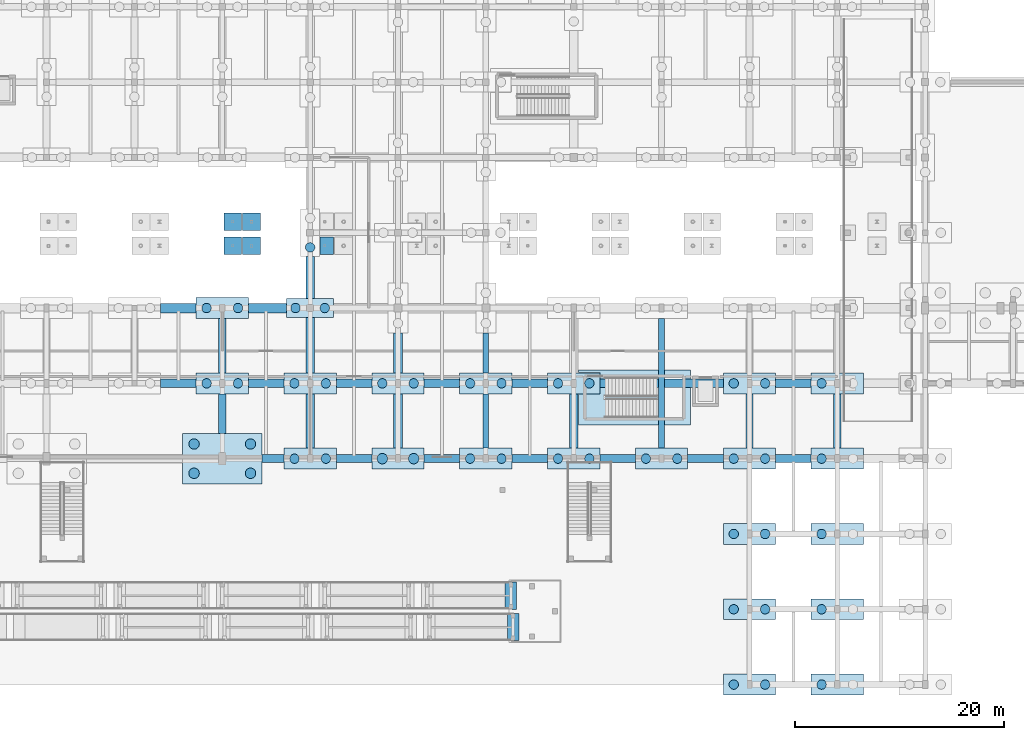
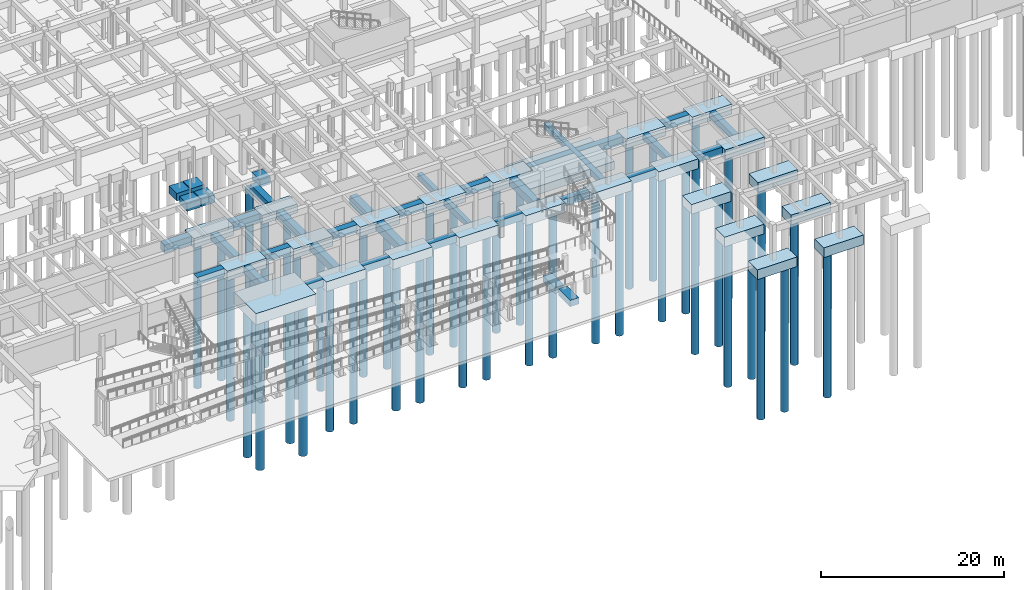
# One storey, part 3 of 80: 60 footings, 44 piles.
"""IFC4 building model written with IfcOpenShell, lengths in metres."""

from ifc_helpers import new_model, si_unit, direction, frame, origin, origin_2d, place, context, subcontext, project, spatial, polyline, rectangle, circle, outline, extrude, material, material_profile, profile_set, type_object, element, save


model = new_model("IFC4")

# Units and contexts
model_context = context("Model", 3, precision=1e-05, world=origin(), true_north=direction((0.0, 1.0)))
body_context = subcontext(model_context, "Body", "Model", "MODEL_VIEW")
ifc_project = project(units=[si_unit("LENGTHUNIT", "METRE"), si_unit("AREAUNIT", "SQUARE_METRE"), si_unit("VOLUMEUNIT", "CUBIC_METRE"), si_unit("PLANEANGLEUNIT", "RADIAN"), si_unit("MASSUNIT", "GRAM", prefix="KILO")], contexts=[model_context])

# Site, building, storey
site_placement = place(None, origin())
site = spatial("IfcSite", under=ifc_project, at=site_placement, CompositionType="ELEMENT")
building_placement = place(site_placement, origin())
building = spatial("IfcBuilding", under=site, at=building_placement, Name="Malvenik Polytechnic", CompositionType="ELEMENT")
storey_placement = place(building_placement, frame((0.0, 0.0, -4.800048828125)))
storey = spatial("IfcBuildingStorey", under=building, at=storey_placement, Name="B1", CompositionType="ELEMENT", Elevation=-4.800048828125)

# Footings
ifc_material = material(Name="Concrete C35/45", Category="concrete")
footing_type_1 = type_object("IfcFootingType", Name="STR-PC-1800x4500x1200", PredefinedType="PILE_CAP", material=ifc_material)
footing_1_placement = place(storey_placement, frame((75.60009765625, 36.0, -1.19970703125), z_axis=(0.0, 0.0, 1.0), x_axis=(1.0, 0.0, 0.0)))
element("IfcFooting", 1, at=footing_1_placement, inside=storey, type_object=footing_type_1, Name="Pile Cap PC-01 #108", PredefinedType="PILE_CAP", context=body_context, shape_type="SweptSolid", body=[
    extrude(rectangle(XDim=4.5, YDim=1.800048828125, at=origin_2d()), origin(), (0.0, 0.0, 1.0), 1.199951171875),
])
footing_type_2 = type_object("IfcFootingType", Name="STR-PC-2000x5000x1300", PredefinedType="PILE_CAP", material=ifc_material)
for number, where, z_axis, x_axis, name in (
    (2, (67.199951171875, 28.800048828125, -1.2998046875), (0.0, 0.0, 1.0), (1.0, 0.0, 0.0), "Pile Cap PC-03 #94"),
    (3, (67.199951171875, 36.0, -1.2998046875), (0.0, 0.0, 1.0), (1.0, 0.0, 0.0), "Pile Cap PC-03 #95"),
    (4, (75.60009765625, 21.60009765625, -1.2998046875), (0.0, 0.0, 1.0), (1.0, 0.0, 0.0), "Pile Cap PC-03 #106"),
    (5, (75.60009765625, 28.800048828125, -1.2998046875), (0.0, 0.0, 1.0), (1.0, 0.0, 0.0), "Pile Cap PC-03 #107"),
    (6, (84.0, 21.60009765625, -1.2998046875), (0.0, 0.0, 1.0), (1.0, 0.0, 0.0), "Pile Cap PC-03 #121"),
    (7, (84.0, 28.800048828125, -1.2998046875), (0.0, 0.0, 1.0), (1.0, 0.0, 0.0), "Pile Cap PC-03 #122"),
    (8, (92.39990234375, 21.60009765625, -1.2998046875), (0.0, 0.0, 1.0), (1.0, 0.0, 0.0), "Pile Cap PC-03 #137"),
    (9, (92.39990234375, 28.800048828125, -1.2998046875), (0.0, 0.0, 1.0), (1.0, 0.0, 0.0), "Pile Cap PC-03 #138"),
    (10, (100.800048828125, 21.60009765625, -1.2998046875), (0.0, 0.0, 1.0), (1.0, 0.0, 0.0), "Pile Cap PC-03 #153"),
    (11, (100.800048828125, 28.800048828125, -1.2998046875), (0.0, 0.0, 1.0), (1.0, 0.0, 0.0), "Pile Cap PC-03 #154"),
    (12, (109.199951171875, 21.60009765625, -1.2998046875), (0.0, 0.0, 1.0), (1.0, 0.0, 0.0), "Pile Cap PC-03 #164"),
    (13, (117.60009765625, 0.0, -1.2998046875), (0.0, 0.0, 1.0), (1.0, 0.0, 0.0), "Pile Cap PC-03 #176"),
    (14, (117.60009765625, 7.199951171875, -1.2998046875), (0.0, 0.0, 1.0), (1.0, 0.0, 0.0), "Pile Cap PC-03 #177"),
    (15, (117.60009765625, 14.39990234375, -1.2998046875), (0.0, 0.0, 1.0), (1.0, 0.0, 0.0), "Pile Cap PC-03 #178"),
    (16, (117.60009765625, 21.60009765625, -1.2998046875), (0.0, 0.0, 1.0), (1.0, 0.0, 0.0), "Pile Cap PC-03 #179"),
    (17, (117.60009765625, 28.800048828125, -1.2998046875), (0.0, 0.0, 1.0), (1.0, 0.0, 0.0), "Pile Cap PC-03 #180"),
    (18, (126.0, 0.0, -1.2998046875), (0.0, 0.0, 1.0), (1.0, 0.0, 0.0), "Pile Cap PC-03 #192"),
    (19, (126.0, 7.199951171875, -1.2998046875), (0.0, 0.0, 1.0), (1.0, 0.0, 0.0), "Pile Cap PC-03 #193"),
    (20, (126.0, 14.39990234375, -1.2998046875), (0.0, 0.0, 1.0), (1.0, 0.0, 0.0), "Pile Cap PC-03 #194"),
    (21, (126.0, 21.60009765625, -1.2998046875), (0.0, 0.0, 1.0), (1.0, 0.0, 0.0), "Pile Cap PC-03 #195"),
    (22, (126.0, 28.800048828125, -1.2998046875), (0.0, 0.0, 1.0), (1.0, 0.0, 0.0), "Pile Cap PC-03 #196"),
):
    element("IfcFooting", number, at=place(storey_placement, frame(where, z_axis=z_axis, x_axis=x_axis)), inside=storey, type_object=footing_type_2, Name=name, PredefinedType="PILE_CAP", context=body_context, shape_type="SweptSolid", body=[
        extrude(rectangle(XDim=5.0, YDim=2.0, at=origin_2d()), origin(), (0.0, 0.0, 1.0), 1.300048828125),
    ])
footing_type_3 = type_object("IfcFootingType", Name="STR-PC-COMB-26", PredefinedType="PILE_CAP", material=ifc_material)
footing_2_placement = place(storey_placement, frame((67.199951171875, 21.60009765625, -1.5), z_axis=(0.0, 0.0, 1.0), x_axis=(1.0, 0.0, 0.0)))
element("IfcFooting", 23, at=footing_2_placement, inside=storey, type_object=footing_type_3, Name="Pile Cap PCC-26 #93", PredefinedType="PILE_CAP", context=body_context, shape_type="SweptSolid", body=[
    extrude(rectangle(XDim=7.60009765625, YDim=4.800048828125, at=origin_2d()), origin(), (0.0, 0.0, 1.0), 1.5),
])

# Piles
ifc_material_profile_1 = material_profile(ifc_material, circle(Radius=0.5, at=origin_2d()), Name="BORED PILE D1000")
ifc_profile_set_1 = profile_set([ifc_material_profile_1], Name="Concrete C35/45")
pile_type_1 = type_object("IfcPileType", Name="STR-PL-D1000-196", PredefinedType="BORED", material=ifc_profile_set_1)
for number, where, z_axis, x_axis, name in (
    (24, (82.5, 21.60009765625, -1.199951171875), (0.0, 0.0, -1.0), (1.0, 0.0, 0.0), "Bored Pile PL-04 #281"),
    (25, (85.5, 21.60009765625, -1.199951171875), (0.0, 0.0, -1.0), (1.0, 0.0, 0.0), "Bored Pile PL-04 #282"),
):
    element("IfcPile", number, at=place(storey_placement, frame(where, z_axis=z_axis, x_axis=x_axis)), inside=storey, type_object=pile_type_1, Name=name, PredefinedType="BORED", context=body_context, shape_type="SweptSolid", body=[
        extrude(circle(Radius=0.5, at=origin_2d()), origin(), (0.0, 0.0, 1.0), 19.60009765625),
    ])
ifc_material_profile_2 = material_profile(ifc_material, circle(Radius=0.5, at=origin_2d()), Name="BORED PILE D1000")
ifc_profile_set_2 = profile_set([ifc_material_profile_2], Name="Concrete C35/45")
pile_type_2 = type_object("IfcPileType", Name="STR-PL-D1000-202", PredefinedType="BORED", material=ifc_profile_set_2)
for number, where, z_axis, x_axis, name in (
    (26, (64.5, 20.199951171875, -1.39990234375), (0.0, 0.0, -1.0), (1.0, 0.0, 0.0), "Bored Pile PL-06 #215"),
    (27, (64.5, 23.0, -1.39990234375), (0.0, 0.0, -1.0), (1.0, 0.0, 0.0), "Bored Pile PL-06 #216"),
    (28, (69.89990234375, 20.199951171875, -1.39990234375), (0.0, 0.0, -1.0), (1.0, 0.0, 0.0), "Bored Pile PL-06 #217"),
    (29, (69.89990234375, 23.0, -1.39990234375), (0.0, 0.0, -1.0), (1.0, 0.0, 0.0), "Bored Pile PL-06 #218"),
):
    element("IfcPile", number, at=place(storey_placement, frame(where, z_axis=z_axis, x_axis=x_axis)), inside=storey, type_object=pile_type_2, Name=name, PredefinedType="BORED", context=body_context, shape_type="SweptSolid", body=[
        extrude(circle(Radius=0.5, at=origin_2d()), origin(), (0.0, 0.0, 1.0), 20.199951171875),
    ])
ifc_material_profile_3 = material_profile(ifc_material, circle(Radius=0.449951171875, at=origin_2d()), Name="BORED PILE D900")
ifc_profile_set_3 = profile_set([ifc_material_profile_3], Name="Concrete C35/45")
pile_type_3 = type_object("IfcPileType", Name="STR-PL-D900-195", PredefinedType="BORED", material=ifc_profile_set_3)
for number, where, z_axis, x_axis, name in (
    (30, (65.699951171875, 28.800048828125, -1.199951171875), (0.0, 0.0, -1.0), (1.0, 0.0, 0.0), "Bored Pile PL-01 #219"),
    (31, (68.699951171875, 28.800048828125, -1.199951171875), (0.0, 0.0, -1.0), (1.0, 0.0, 0.0), "Bored Pile PL-01 #220"),
    (32, (65.699951171875, 36.0, -1.199951171875), (0.0, 0.0, -1.0), (1.0, 0.0, 0.0), "Bored Pile PL-01 #221"),
    (33, (68.699951171875, 36.0, -1.199951171875), (0.0, 0.0, -1.0), (1.0, 0.0, 0.0), "Bored Pile PL-01 #222"),
    (34, (74.10009765625, 21.60009765625, -1.199951171875), (0.0, 0.0, -1.0), (1.0, 0.0, 0.0), "Bored Pile PL-01 #247"),
    (35, (77.10009765625, 21.60009765625, -1.199951171875), (0.0, 0.0, -1.0), (1.0, 0.0, 0.0), "Bored Pile PL-01 #248"),
    (36, (74.10009765625, 28.800048828125, -1.199951171875), (0.0, 0.0, -1.0), (1.0, 0.0, 0.0), "Bored Pile PL-01 #249"),
    (37, (77.10009765625, 28.800048828125, -1.199951171875), (0.0, 0.0, -1.0), (1.0, 0.0, 0.0), "Bored Pile PL-01 #250"),
    (38, (82.5, 28.800048828125, -1.199951171875), (0.0, 0.0, -1.0), (1.0, 0.0, 0.0), "Bored Pile PL-01 #283"),
    (39, (85.5, 28.800048828125, -1.199951171875), (0.0, 0.0, -1.0), (1.0, 0.0, 0.0), "Bored Pile PL-01 #284"),
    (40, (90.89990234375, 21.60009765625, -1.199951171875), (0.0, 0.0, -1.0), (1.0, 0.0, 0.0), "Bored Pile PL-01 #313"),
    (41, (93.89990234375, 21.60009765625, -1.199951171875), (0.0, 0.0, -1.0), (1.0, 0.0, 0.0), "Bored Pile PL-01 #314"),
    (42, (90.89990234375, 28.800048828125, -1.199951171875), (0.0, 0.0, -1.0), (1.0, 0.0, 0.0), "Bored Pile PL-01 #315"),
    (43, (93.89990234375, 28.800048828125, -1.199951171875), (0.0, 0.0, -1.0), (1.0, 0.0, 0.0), "Bored Pile PL-01 #316"),
    (44, (99.300048828125, 21.60009765625, -1.199951171875), (0.0, 0.0, -1.0), (1.0, 0.0, 0.0), "Bored Pile PL-01 #345"),
    (45, (102.300048828125, 21.60009765625, -1.199951171875), (0.0, 0.0, -1.0), (1.0, 0.0, 0.0), "Bored Pile PL-01 #346"),
    (46, (99.300048828125, 28.800048828125, -1.199951171875), (0.0, 0.0, -1.0), (1.0, 0.0, 0.0), "Bored Pile PL-01 #347"),
    (47, (102.300048828125, 28.800048828125, -1.199951171875), (0.0, 0.0, -1.0), (1.0, 0.0, 0.0), "Bored Pile PL-01 #348"),
    (48, (107.699951171875, 21.60009765625, -1.199951171875), (0.0, 0.0, -1.0), (1.0, 0.0, 0.0), "Bored Pile PL-01 #367"),
    (49, (110.699951171875, 21.60009765625, -1.199951171875), (0.0, 0.0, -1.0), (1.0, 0.0, 0.0), "Bored Pile PL-01 #368"),
    (50, (116.10009765625, 0.0, -1.199951171875), (0.0, 0.0, -1.0), (1.0, 0.0, 0.0), "Bored Pile PL-01 #391"),
    (51, (119.10009765625, 0.0, -1.199951171875), (0.0, 0.0, -1.0), (1.0, 0.0, 0.0), "Bored Pile PL-01 #392"),
    (52, (116.10009765625, 7.199951171875, -1.199951171875), (0.0, 0.0, -1.0), (1.0, 0.0, 0.0), "Bored Pile PL-01 #393"),
    (53, (119.10009765625, 7.199951171875, -1.199951171875), (0.0, 0.0, -1.0), (1.0, 0.0, 0.0), "Bored Pile PL-01 #394"),
    (54, (116.10009765625, 14.39990234375, -1.199951171875), (0.0, 0.0, -1.0), (1.0, 0.0, 0.0), "Bored Pile PL-01 #395"),
    (55, (119.10009765625, 14.39990234375, -1.199951171875), (0.0, 0.0, -1.0), (1.0, 0.0, 0.0), "Bored Pile PL-01 #396"),
    (56, (116.10009765625, 21.60009765625, -1.199951171875), (0.0, 0.0, -1.0), (1.0, 0.0, 0.0), "Bored Pile PL-01 #397"),
    (57, (119.10009765625, 21.60009765625, -1.199951171875), (0.0, 0.0, -1.0), (1.0, 0.0, 0.0), "Bored Pile PL-01 #398"),
    (58, (116.10009765625, 28.800048828125, -1.199951171875), (0.0, 0.0, -1.0), (1.0, 0.0, 0.0), "Bored Pile PL-01 #399"),
    (59, (119.10009765625, 28.800048828125, -1.199951171875), (0.0, 0.0, -1.0), (1.0, 0.0, 0.0), "Bored Pile PL-01 #400"),
    (60, (124.5, 0.0, -1.199951171875), (0.0, 0.0, -1.0), (1.0, 0.0, 0.0), "Bored Pile PL-01 #423"),
    (61, (124.5, 7.199951171875, -1.199951171875), (0.0, 0.0, -1.0), (1.0, 0.0, 0.0), "Bored Pile PL-01 #425"),
    (62, (124.5, 14.39990234375, -1.199951171875), (0.0, 0.0, -1.0), (1.0, 0.0, 0.0), "Bored Pile PL-01 #427"),
    (63, (124.5, 21.60009765625, -1.199951171875), (0.0, 0.0, -1.0), (1.0, 0.0, 0.0), "Bored Pile PL-01 #429"),
    (64, (124.5, 28.800048828125, -1.199951171875), (0.0, 0.0, -1.0), (1.0, 0.0, 0.0), "Bored Pile PL-01 #431"),
):
    element("IfcPile", number, at=place(storey_placement, frame(where, z_axis=z_axis, x_axis=x_axis)), inside=storey, type_object=pile_type_3, Name=name, PredefinedType="BORED", context=body_context, shape_type="SweptSolid", body=[
        extrude(circle(Radius=0.449951171875, at=origin_2d()), origin(), (0.0, 0.0, 1.0), 19.5),
    ])
ifc_material_profile_4 = material_profile(ifc_material, circle(Radius=0.449951171875, at=origin_2d()), Name="BORED PILE D900")
ifc_profile_set_4 = profile_set([ifc_material_profile_4], Name="Concrete C35/45")
pile_type_4 = type_object("IfcPileType", Name="STR-PL-D900-198", PredefinedType="BORED", material=ifc_profile_set_4)
for number, where, z_axis, x_axis, name in (
    (65, (74.199951171875, 36.0, -1.099853515625), (0.0, 0.0, -1.0), (1.0, 0.0, 0.0), "Bored Pile PL-02 #251"),
    (66, (77.0, 36.0, -1.099853515625), (0.0, 0.0, -1.0), (1.0, 0.0, 0.0), "Bored Pile PL-02 #252"),
    (67, (75.60009765625, 41.800048828125, -1.099853515625), (0.0, 0.0, -1.0), (1.0, 0.0, 0.0), "Bored Pile PL-02 #253"),
):
    element("IfcPile", number, at=place(storey_placement, frame(where, z_axis=z_axis, x_axis=x_axis)), inside=storey, type_object=pile_type_4, Name=name, PredefinedType="BORED", context=body_context, shape_type="SweptSolid", body=[
        extrude(circle(Radius=0.449951171875, at=origin_2d()), origin(), (0.0, 0.0, 1.0), 19.800048828125),
    ])

# Footings
footing_type_4 = type_object("IfcFootingType", Name="STR-SF-550x750", PredefinedType="STRIP_FOOTING", material=ifc_material)
footing_3_placement = place(storey_placement, frame((0.0, 0.0, -0.75)))
element("IfcFooting", 68, at=footing_3_placement, inside=storey, type_object=footing_type_4, Name="Ground Tie Beam SF-07 #253", PredefinedType="STRIP_FOOTING", context=body_context, shape_type="SweptSolid", body=[
    extrude(outline(polyline([(92.125, 22.60009765625), (92.675048828125, 22.60009765625), (92.675048828125, 27.800048828125), (92.125, 27.800048828125), (92.125, 22.60009765625)])), origin(), (0.0, 0.0, 1.0), 0.75),
])
footing_4_placement = place(storey_placement, frame((0.0, 0.0, -0.75)))
element("IfcFooting", 69, at=footing_4_placement, inside=storey, type_object=footing_type_4, Name="Ground Tie Beam SF-07 #254", PredefinedType="STRIP_FOOTING", context=body_context, shape_type="SweptSolid", body=[
    extrude(outline(polyline([(92.125, 29.800048828125), (92.675048828125, 29.800048828125), (92.675048828125, 33.60009765625), (92.125, 33.60009765625), (92.125, 29.800048828125)])), origin(), (0.0, 0.0, 1.0), 0.75),
])
footing_type_5 = type_object("IfcFootingType", Name="STR-SF-600x800", PredefinedType="STRIP_FOOTING", material=ifc_material)
footing_5_placement = place(storey_placement, frame((0.0, 0.0, -0.800048828125)))
element("IfcFooting", 70, at=footing_5_placement, inside=storey, type_object=footing_type_5, Name="Ground Tie Beam SF-01 #273", PredefinedType="STRIP_FOOTING", context=body_context, shape_type="SweptSolid", body=[
    extrude(outline(polyline([(108.89990234375, 22.60009765625), (109.5, 22.60009765625), (109.5, 35.0), (108.89990234375, 35.0), (108.89990234375, 22.60009765625)])), origin(), (0.0, 0.0, 1.0), 0.800048828125),
])
footing_type_6 = type_object("IfcFootingType", Name="STR-SF-650x850", PredefinedType="STRIP_FOOTING", material=ifc_material)
footing_6_placement = place(storey_placement, frame((0.0, 0.0, -0.849853515625)))
element("IfcFooting", 71, at=footing_6_placement, inside=storey, type_object=footing_type_6, Name="Ground Tie Beam SF-02 #282", PredefinedType="STRIP_FOOTING", context=body_context, shape_type="SweptSolid", body=[
    extrude(outline(polyline([(117.27490234375, 22.60009765625), (117.925048828125, 22.60009765625), (117.925048828125, 27.800048828125), (117.27490234375, 27.800048828125), (117.27490234375, 22.60009765625)])), origin(), (0.0, 0.0, 1.0), 0.849853515625),
])
footing_type_7 = type_object("IfcFootingType", Name="STR-SF-700x900", PredefinedType="STRIP_FOOTING", material=ifc_material)
footing_7_placement = place(storey_placement, frame((0.0, 0.0, -0.89990234375)))
element("IfcFooting", 72, at=footing_7_placement, inside=storey, type_object=footing_type_7, Name="Ground Tie Beam SF-03 #292", PredefinedType="STRIP_FOOTING", context=body_context, shape_type="SweptSolid", body=[
    extrude(outline(polyline([(125.64990234375, 22.60009765625), (126.35009765625, 22.60009765625), (126.35009765625, 27.800048828125), (125.64990234375, 27.800048828125), (125.64990234375, 22.60009765625)])), origin(), (0.0, 0.0, 1.0), 0.89990234375),
])
footing_type_8 = type_object("IfcFootingType", Name="STR-SF-750x950", PredefinedType="STRIP_FOOTING", material=ifc_material)
footing_8_placement = place(storey_placement, frame((0.0, 0.0, -0.949951171875)))
element("IfcFooting", 73, at=footing_8_placement, inside=storey, type_object=footing_type_8, Name="Ground Tie Beam SF-04 #4", PredefinedType="STRIP_FOOTING", context=body_context, shape_type="SweptSolid", body=[
    extrude(outline(polyline([(71.0, 21.22509765625), (73.10009765625, 21.22509765625), (73.10009765625, 21.97509765625), (71.0, 21.97509765625), (71.0, 21.22509765625)])), origin(), (0.0, 0.0, 1.0), 0.949951171875),
])
footing_9_placement = place(storey_placement, frame((0.0, 0.0, -0.949951171875)))
element("IfcFooting", 74, at=footing_9_placement, inside=storey, type_object=footing_type_8, Name="Ground Tie Beam SF-04 #5", PredefinedType="STRIP_FOOTING", context=body_context, shape_type="SweptSolid", body=[
    extrude(outline(polyline([(78.10009765625, 21.22509765625), (81.5, 21.22509765625), (81.5, 21.97509765625), (78.10009765625, 21.97509765625), (78.10009765625, 21.22509765625)])), origin(), (0.0, 0.0, 1.0), 0.949951171875),
])
footing_10_placement = place(storey_placement, frame((0.0, 0.0, -0.949951171875)))
element("IfcFooting", 75, at=footing_10_placement, inside=storey, type_object=footing_type_8, Name="Ground Tie Beam SF-04 #6", PredefinedType="STRIP_FOOTING", context=body_context, shape_type="SweptSolid", body=[
    extrude(outline(polyline([(86.5, 21.22509765625), (89.89990234375, 21.22509765625), (89.89990234375, 21.97509765625), (86.5, 21.97509765625), (86.5, 21.22509765625)])), origin(), (0.0, 0.0, 1.0), 0.949951171875),
])
footing_11_placement = place(storey_placement, frame((0.0, 0.0, -0.949951171875)))
element("IfcFooting", 76, at=footing_11_placement, inside=storey, type_object=footing_type_8, Name="Ground Tie Beam SF-04 #7", PredefinedType="STRIP_FOOTING", context=body_context, shape_type="SweptSolid", body=[
    extrude(outline(polyline([(94.89990234375, 21.22509765625), (98.300048828125, 21.22509765625), (98.300048828125, 21.97509765625), (94.89990234375, 21.97509765625), (94.89990234375, 21.22509765625)])), origin(), (0.0, 0.0, 1.0), 0.949951171875),
])
footing_12_placement = place(storey_placement, frame((0.0, 0.0, -0.949951171875)))
element("IfcFooting", 77, at=footing_12_placement, inside=storey, type_object=footing_type_8, Name="Ground Tie Beam SF-04 #8", PredefinedType="STRIP_FOOTING", context=body_context, shape_type="SweptSolid", body=[
    extrude(outline(polyline([(103.300048828125, 21.22509765625), (106.699951171875, 21.22509765625), (106.699951171875, 21.97509765625), (103.300048828125, 21.97509765625), (103.300048828125, 21.22509765625)])), origin(), (0.0, 0.0, 1.0), 0.949951171875),
])
footing_13_placement = place(storey_placement, frame((0.0, 0.0, -0.949951171875)))
element("IfcFooting", 78, at=footing_13_placement, inside=storey, type_object=footing_type_8, Name="Ground Tie Beam SF-04 #9", PredefinedType="STRIP_FOOTING", context=body_context, shape_type="SweptSolid", body=[
    extrude(outline(polyline([(111.699951171875, 21.22509765625), (115.10009765625, 21.22509765625), (115.10009765625, 21.97509765625), (111.699951171875, 21.97509765625), (111.699951171875, 21.22509765625)])), origin(), (0.0, 0.0, 1.0), 0.949951171875),
])
footing_14_placement = place(storey_placement, frame((0.0, 0.0, -0.949951171875)))
element("IfcFooting", 79, at=footing_14_placement, inside=storey, type_object=footing_type_8, Name="Ground Tie Beam SF-04 #10", PredefinedType="STRIP_FOOTING", context=body_context, shape_type="SweptSolid", body=[
    extrude(outline(polyline([(120.10009765625, 21.22509765625), (123.5, 21.22509765625), (123.5, 21.97509765625), (120.10009765625, 21.97509765625), (120.10009765625, 21.22509765625)])), origin(), (0.0, 0.0, 1.0), 0.949951171875),
])
footing_15_placement = place(storey_placement, frame((0.0, 0.0, -0.949951171875)))
element("IfcFooting", 80, at=footing_15_placement, inside=storey, type_object=footing_type_8, Name="Ground Tie Beam SF-04 #220", PredefinedType="STRIP_FOOTING", context=body_context, shape_type="SweptSolid", body=[
    extrude(outline(polyline([(66.824951171875, 24.0), (67.574951171875, 24.0), (67.574951171875, 27.800048828125), (66.824951171875, 27.800048828125), (66.824951171875, 24.0)])), origin(), (0.0, 0.0, 1.0), 0.949951171875),
])
footing_16_placement = place(storey_placement, frame((0.0, 0.0, -0.949951171875)))
element("IfcFooting", 81, at=footing_16_placement, inside=storey, type_object=footing_type_8, Name="Ground Tie Beam SF-04 #221", PredefinedType="STRIP_FOOTING", context=body_context, shape_type="SweptSolid", body=[
    extrude(outline(polyline([(66.824951171875, 29.800048828125), (67.574951171875, 29.800048828125), (67.574951171875, 35.0), (66.824951171875, 35.0), (66.824951171875, 29.800048828125)])), origin(), (0.0, 0.0, 1.0), 0.949951171875),
])
footing_type_9 = type_object("IfcFootingType", Name="STR-SF-800x1000", PredefinedType="STRIP_FOOTING", material=ifc_material)
footing_17_placement = place(storey_placement, frame((0.0, 0.0, -1.0)))
element("IfcFooting", 82, at=footing_17_placement, inside=storey, type_object=footing_type_9, Name="Ground Tie Beam SF-05 #16", PredefinedType="STRIP_FOOTING", context=body_context, shape_type="SweptSolid", body=[
    extrude(outline(polyline([(61.300048828125, 28.39990234375), (64.699951171875, 28.39990234375), (64.699951171875, 29.199951171875), (61.300048828125, 29.199951171875), (61.300048828125, 28.39990234375)])), origin(), (0.0, 0.0, 1.0), 1.0),
])
footing_18_placement = place(storey_placement, frame((0.0, 0.0, -1.0)))
element("IfcFooting", 83, at=footing_18_placement, inside=storey, type_object=footing_type_9, Name="Ground Tie Beam SF-05 #17", PredefinedType="STRIP_FOOTING", context=body_context, shape_type="SweptSolid", body=[
    extrude(outline(polyline([(69.699951171875, 28.39990234375), (73.10009765625, 28.39990234375), (73.10009765625, 29.199951171875), (69.699951171875, 29.199951171875), (69.699951171875, 28.39990234375)])), origin(), (0.0, 0.0, 1.0), 1.0),
])
footing_19_placement = place(storey_placement, frame((0.0, 0.0, -1.0)))
element("IfcFooting", 84, at=footing_19_placement, inside=storey, type_object=footing_type_9, Name="Ground Tie Beam SF-05 #18", PredefinedType="STRIP_FOOTING", context=body_context, shape_type="SweptSolid", body=[
    extrude(outline(polyline([(78.10009765625, 28.39990234375), (81.5, 28.39990234375), (81.5, 29.199951171875), (78.10009765625, 29.199951171875), (78.10009765625, 28.39990234375)])), origin(), (0.0, 0.0, 1.0), 1.0),
])
footing_20_placement = place(storey_placement, frame((0.0, 0.0, -1.0)))
element("IfcFooting", 85, at=footing_20_placement, inside=storey, type_object=footing_type_9, Name="Ground Tie Beam SF-05 #19", PredefinedType="STRIP_FOOTING", context=body_context, shape_type="SweptSolid", body=[
    extrude(outline(polyline([(86.5, 28.39990234375), (89.89990234375, 28.39990234375), (89.89990234375, 29.199951171875), (86.5, 29.199951171875), (86.5, 28.39990234375)])), origin(), (0.0, 0.0, 1.0), 1.0),
])
footing_21_placement = place(storey_placement, frame((0.0, 0.0, -1.0)))
element("IfcFooting", 86, at=footing_21_placement, inside=storey, type_object=footing_type_9, Name="Ground Tie Beam SF-05 #20", PredefinedType="STRIP_FOOTING", context=body_context, shape_type="SweptSolid", body=[
    extrude(outline(polyline([(94.89990234375, 28.39990234375), (98.300048828125, 28.39990234375), (98.300048828125, 29.199951171875), (94.89990234375, 29.199951171875), (94.89990234375, 28.39990234375)])), origin(), (0.0, 0.0, 1.0), 1.0),
])
footing_22_placement = place(storey_placement, frame((0.0, 0.0, -1.0)))
element("IfcFooting", 87, at=footing_22_placement, inside=storey, type_object=footing_type_9, Name="Ground Tie Beam SF-05 #21", PredefinedType="STRIP_FOOTING", context=body_context, shape_type="SweptSolid", body=[
    extrude(outline(polyline([(103.300048828125, 28.39990234375), (115.10009765625, 28.39990234375), (115.10009765625, 29.199951171875), (103.300048828125, 29.199951171875), (103.300048828125, 28.39990234375)])), origin(), (0.0, 0.0, 1.0), 1.0),
])
footing_23_placement = place(storey_placement, frame((0.0, 0.0, -1.0)))
element("IfcFooting", 88, at=footing_23_placement, inside=storey, type_object=footing_type_9, Name="Ground Tie Beam SF-05 #22", PredefinedType="STRIP_FOOTING", context=body_context, shape_type="SweptSolid", body=[
    extrude(outline(polyline([(120.10009765625, 28.39990234375), (123.5, 28.39990234375), (123.5, 29.199951171875), (120.10009765625, 29.199951171875), (120.10009765625, 28.39990234375)])), origin(), (0.0, 0.0, 1.0), 1.0),
])
footing_24_placement = place(storey_placement, frame((0.0, 0.0, -1.0)))
element("IfcFooting", 89, at=footing_24_placement, inside=storey, type_object=footing_type_9, Name="Ground Tie Beam SF-05 #230", PredefinedType="STRIP_FOOTING", context=body_context, shape_type="SweptSolid", body=[
    extrude(outline(polyline([(75.199951171875, 22.60009765625), (76.0, 22.60009765625), (76.0, 27.800048828125), (75.199951171875, 27.800048828125), (75.199951171875, 22.60009765625)])), origin(), (0.0, 0.0, 1.0), 1.0),
])
footing_25_placement = place(storey_placement, frame((0.0, 0.0, -1.0)))
element("IfcFooting", 90, at=footing_25_placement, inside=storey, type_object=footing_type_9, Name="Ground Tie Beam SF-05 #231", PredefinedType="STRIP_FOOTING", context=body_context, shape_type="SweptSolid", body=[
    extrude(outline(polyline([(75.199951171875, 29.800048828125), (76.0, 29.800048828125), (76.0, 35.10009765625), (75.199951171875, 35.10009765625), (75.199951171875, 29.800048828125)])), origin(), (0.0, 0.0, 1.0), 1.0),
])
footing_26_placement = place(storey_placement, frame((0.0, 0.0, -1.0)))
element("IfcFooting", 91, at=footing_26_placement, inside=storey, type_object=footing_type_9, Name="Ground Tie Beam SF-05 #232", PredefinedType="STRIP_FOOTING", context=body_context, shape_type="SweptSolid", body=[
    extrude(outline(polyline([(75.199951171875, 36.89990234375), (76.0, 36.89990234375), (76.0, 40.949951171875), (75.199951171875, 40.949951171875), (75.199951171875, 36.89990234375)])), origin(), (0.0, 0.0, 1.0), 1.0),
])
footing_27_placement = place(storey_placement, frame((0.0, 0.0, -1.0)))
element("IfcFooting", 92, at=footing_27_placement, inside=storey, type_object=footing_type_9, Name="Bridge-Ramp Pier Footing #19.1", PredefinedType="STRIP_FOOTING", context=body_context, shape_type="SweptSolid", body=[
    extrude(outline(polyline([(67.35009765625, 41.10009765625), (67.35009765625, 42.800048828125), (69.050048828125, 42.800048828125), (69.050048828125, 41.10009765625), (67.35009765625, 41.10009765625)])), origin(), (0.0, 0.0, 1.0), 1.0),
])
footing_28_placement = place(storey_placement, frame((0.0, 0.0, -1.0)))
element("IfcFooting", 93, at=footing_28_placement, inside=storey, type_object=footing_type_9, Name="Bridge-Ramp Pier Footing #20.1", PredefinedType="STRIP_FOOTING", context=body_context, shape_type="SweptSolid", body=[
    extrude(outline(polyline([(67.35009765625, 43.39990234375), (67.35009765625, 45.10009765625), (69.050048828125, 45.10009765625), (69.050048828125, 43.39990234375), (67.35009765625, 43.39990234375)])), origin(), (0.0, 0.0, 1.0), 1.0),
])
footing_29_placement = place(storey_placement, frame((0.0, 0.0, -1.0)))
element("IfcFooting", 94, at=footing_29_placement, inside=storey, type_object=footing_type_9, Name="Bridge-Ramp Pier Footing #21.1", PredefinedType="STRIP_FOOTING", context=body_context, shape_type="SweptSolid", body=[
    extrude(outline(polyline([(69.14990234375, 41.10009765625), (69.14990234375, 42.800048828125), (70.85009765625, 42.800048828125), (70.85009765625, 41.10009765625), (69.14990234375, 41.10009765625)])), origin(), (0.0, 0.0, 1.0), 1.0),
])
footing_30_placement = place(storey_placement, frame((0.0, 0.0, -1.0)))
element("IfcFooting", 95, at=footing_30_placement, inside=storey, type_object=footing_type_9, Name="Bridge-Ramp Pier Footing #22.1", PredefinedType="STRIP_FOOTING", context=body_context, shape_type="SweptSolid", body=[
    extrude(outline(polyline([(69.14990234375, 43.39990234375), (69.14990234375, 45.10009765625), (70.85009765625, 45.10009765625), (70.85009765625, 43.39990234375), (69.14990234375, 43.39990234375)])), origin(), (0.0, 0.0, 1.0), 1.0),
])
footing_31_placement = place(storey_placement, frame((0.0, 0.0, -1.0)))
element("IfcFooting", 96, at=footing_31_placement, inside=storey, type_object=footing_type_9, Name="Bridge-Ramp Pier Footing #23.1", PredefinedType="STRIP_FOOTING", context=body_context, shape_type="SweptSolid", body=[
    extrude(outline(polyline([(77.85009765625, 42.800048828125), (77.85009765625, 41.10009765625), (76.530029296875, 41.10009765625), (76.530029296875, 42.800048828125), (77.85009765625, 42.800048828125)])), origin(), (0.0, 0.0, 1.0), 1.0),
])
footing_32_placement = place(storey_placement, frame((0.0, 0.0, -0.849853515625)))
element("IfcFooting", 97, at=footing_32_placement, inside=storey, type_object=footing_type_9, Name="Forecourt Ramp Pier Footing RB-04-11", PredefinedType="STRIP_FOOTING", context=body_context, shape_type="SweptSolid", body=[
    extrude(outline(polyline([(94.449951171875, 4.199951171875), (94.449951171875, 6.800048828125), (95.550048828125, 6.800048828125), (95.550048828125, 4.199951171875), (94.449951171875, 4.199951171875)])), origin(), (0.0, 0.0, 1.0), 0.849853515625),
])
footing_33_placement = place(storey_placement, frame((0.0, 0.0, -0.849853515625)))
element("IfcFooting", 98, at=footing_33_placement, inside=storey, type_object=footing_type_9, Name="Forecourt Ramp Pier Footing RB-05-0", PredefinedType="STRIP_FOOTING", context=body_context, shape_type="SweptSolid", body=[
    extrude(outline(polyline([(94.25, 7.199951171875), (94.25, 9.800048828125), (95.35009765625, 9.800048828125), (95.35009765625, 7.199951171875), (94.25, 7.199951171875)])), origin(), (0.0, 0.0, 1.0), 0.849853515625),
])
footing_type_10 = type_object("IfcFootingType", Name="STR-SF-850x1050", PredefinedType="STRIP_FOOTING", material=ifc_material)
footing_34_placement = place(storey_placement, frame((0.0, 0.0, -1.050048828125)))
element("IfcFooting", 99, at=footing_34_placement, inside=storey, type_object=footing_type_10, Name="Ground Tie Beam SF-08 #265", PredefinedType="STRIP_FOOTING", context=body_context, shape_type="SweptSolid", body=[
    extrude(outline(polyline([(100.375, 22.60009765625), (101.22509765625, 22.60009765625), (101.22509765625, 27.800048828125), (100.375, 27.800048828125), (100.375, 22.60009765625)])), origin(), (0.0, 0.0, 1.0), 1.050048828125),
])
footing_type_11 = type_object("IfcFootingType", Name="STR-SF-900x1100", PredefinedType="STRIP_FOOTING", material=ifc_material)
footing_35_placement = place(storey_placement, frame((0.0, 0.0, -1.099853515625)))
element("IfcFooting", 100, at=footing_35_placement, inside=storey, type_object=footing_type_11, Name="Ground Tie Beam SF-06 #34", PredefinedType="STRIP_FOOTING", context=body_context, shape_type="SweptSolid", body=[
    extrude(outline(polyline([(61.300048828125, 35.550048828125), (64.699951171875, 35.550048828125), (64.699951171875, 36.449951171875), (61.300048828125, 36.449951171875), (61.300048828125, 35.550048828125)])), origin(), (0.0, 0.0, 1.0), 1.099853515625),
])
footing_36_placement = place(storey_placement, frame((0.0, 0.0, -1.099853515625)))
element("IfcFooting", 101, at=footing_36_placement, inside=storey, type_object=footing_type_11, Name="Ground Tie Beam SF-06 #35", PredefinedType="STRIP_FOOTING", context=body_context, shape_type="SweptSolid", body=[
    extrude(outline(polyline([(69.699951171875, 35.550048828125), (73.35009765625, 35.550048828125), (73.35009765625, 36.449951171875), (69.699951171875, 36.449951171875), (69.699951171875, 35.550048828125)])), origin(), (0.0, 0.0, 1.0), 1.099853515625),
])
footing_37_placement = place(storey_placement, frame((0.0, 0.0, -1.099853515625)))
element("IfcFooting", 102, at=footing_37_placement, inside=storey, type_object=footing_type_11, Name="Ground Tie Beam SF-06 #241", PredefinedType="STRIP_FOOTING", context=body_context, shape_type="SweptSolid", body=[
    extrude(outline(polyline([(83.550048828125, 22.60009765625), (84.449951171875, 22.60009765625), (84.449951171875, 27.800048828125), (83.550048828125, 27.800048828125), (83.550048828125, 22.60009765625)])), origin(), (0.0, 0.0, 1.0), 1.099853515625),
])
footing_38_placement = place(storey_placement, frame((0.0, 0.0, -1.099853515625)))
element("IfcFooting", 103, at=footing_38_placement, inside=storey, type_object=footing_type_11, Name="Ground Tie Beam SF-06 #242", PredefinedType="STRIP_FOOTING", context=body_context, shape_type="SweptSolid", body=[
    extrude(outline(polyline([(83.550048828125, 29.800048828125), (84.449951171875, 29.800048828125), (84.449951171875, 33.60009765625), (83.550048828125, 33.60009765625), (83.550048828125, 29.800048828125)])), origin(), (0.0, 0.0, 1.0), 1.099853515625),
])
footing_39_placement = place(storey_placement, frame((0.0, 0.0, -1.099853515625)))
element("IfcFooting", 104, at=footing_39_placement, inside=storey, type_object=footing_type_11, Name="Core Wall Strip Footing #329", PredefinedType="STRIP_FOOTING", context=body_context, shape_type="SweptSolid", body=[
    extrude(outline(polyline([(101.25, 30.10009765625), (111.949951171875, 30.10009765625), (111.949951171875, 24.800048828125), (101.25, 24.800048828125), (101.25, 27.77001953125), (103.300048828125, 27.77001953125), (103.302978515625, 27.77001953125), (103.305908203125, 27.7705078125), (103.30859375, 27.771240234375), (103.3115234375, 27.772216796875), (103.314208984375, 27.7734375), (103.316650390625, 27.775146484375), (103.319091796875, 27.77685546875), (103.3212890625, 27.77880859375), (103.3232421875, 27.781005859375), (103.324951171875, 27.783203125), (103.326416015625, 27.785888671875), (103.32763671875, 27.78857421875), (103.32861328125, 27.791259765625), (103.329345703125, 27.794189453125), (103.329833984375, 27.797119140625), (103.330078125, 27.800048828125), (103.330078125, 29.800048828125), (103.329833984375, 29.802978515625), (103.329345703125, 29.805908203125), (103.32861328125, 29.80859375), (103.32763671875, 29.8115234375), (103.326416015625, 29.814208984375), (103.324951171875, 29.816650390625), (103.3232421875, 29.819091796875), (103.3212890625, 29.8212890625), (103.319091796875, 29.8232421875), (103.316650390625, 29.824951171875), (103.314208984375, 29.826416015625), (103.3115234375, 29.82763671875), (103.30859375, 29.82861328125), (103.305908203125, 29.829345703125), (103.302978515625, 29.829833984375), (103.300048828125, 29.830078125), (101.25, 29.830078125), (101.25, 30.10009765625)])), origin(), (0.0, 0.0, 1.0), 1.099853515625),
])

save(model, "model.ifc")
